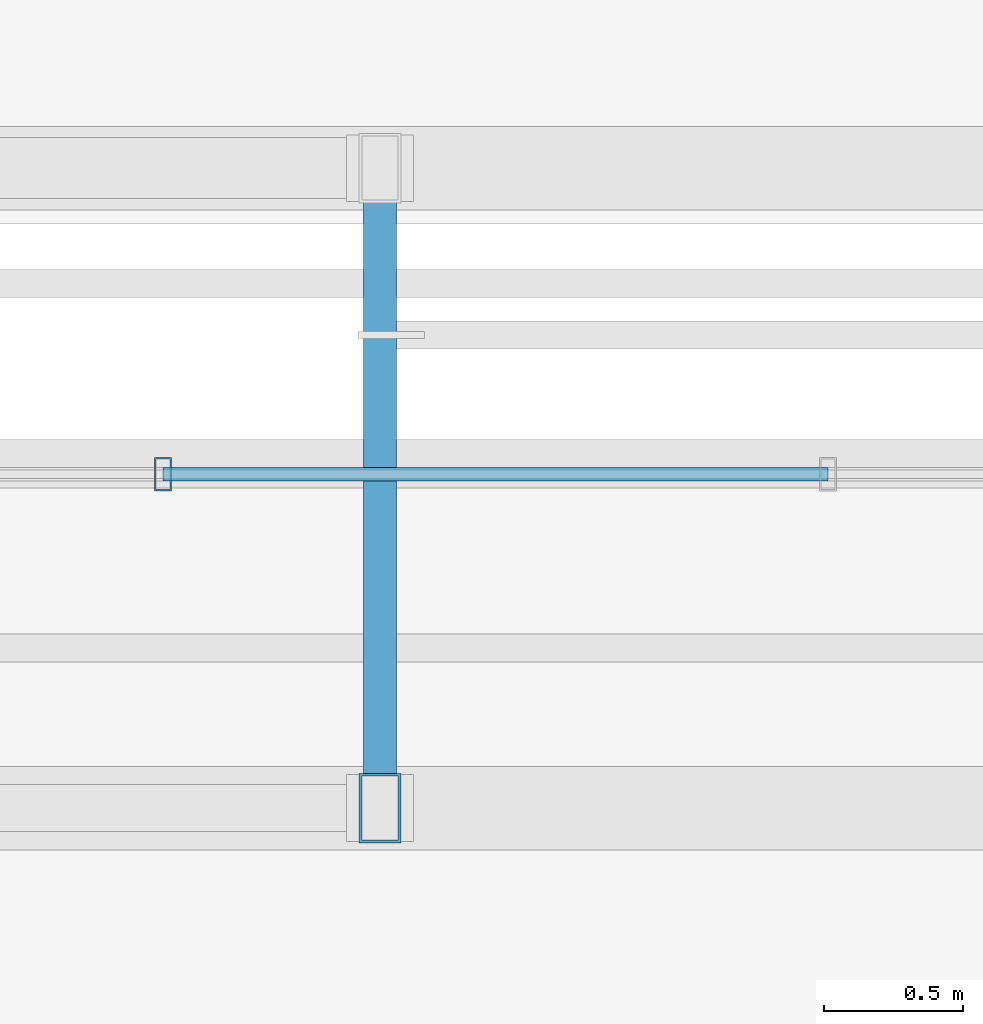
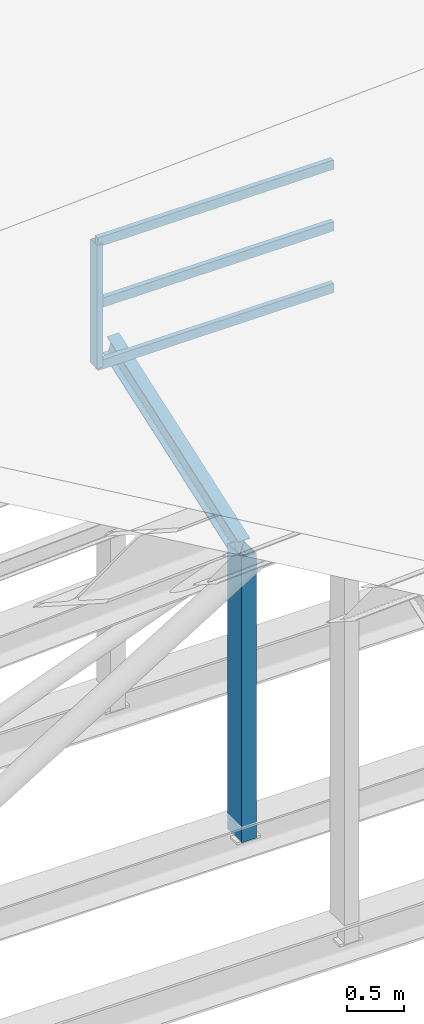
# One storey, part 78 of 141: 6 members, 1 element without a shape of its own.
"""IFC4 building model written with IfcOpenShell, lengths in metres."""

from ifc_helpers import new_model, si_unit, direction, frame, origin, origin_2d, place, context, subcontext, project, spatial, hollow_rectangle, i_section, extrude, material, material_profile, profile_set, type_object, element, aggregate, save


model = new_model("IFC4")

# Units and contexts
model_context = context("Model", 3, precision=1e-05, world=origin(), true_north=direction((0.0, 1.0)))
body_context = subcontext(model_context, "Body", "Model", "MODEL_VIEW")
ifc_project = project(units=[si_unit("LENGTHUNIT", "METRE"), si_unit("AREAUNIT", "SQUARE_METRE"), si_unit("VOLUMEUNIT", "CUBIC_METRE"), si_unit("PLANEANGLEUNIT", "RADIAN"), si_unit("MASSUNIT", "GRAM", prefix="KILO")], contexts=[model_context])

# Site, building, storey
site_placement = place(None, origin())
site = spatial("IfcSite", under=ifc_project, at=site_placement, CompositionType="ELEMENT")
building_placement = place(site_placement, origin())
building = spatial("IfcBuilding", under=site, at=building_placement, Name="Sundkrona Museum", CompositionType="ELEMENT")
storey_placement = place(building_placement, frame((0.0, 0.0, 34.0)))
storey = spatial("IfcBuildingStorey", under=building, at=storey_placement, Name="RF", CompositionType="ELEMENT", Elevation=34.0)

# Curtain wall, member
ifc_material_1 = material(Name="Unitised Aluminium-Steel and Ceramic-Clad Curtain Walling", Category="steel")
curtain_wall_type = type_object("IfcCurtainWallType", Name="CW-SW-240x13", PredefinedType="NOTDEFINED", material=ifc_material_1)
curtain_wall_placement = place(storey_placement, origin())
curtain_wall = element("IfcCurtainWall", 1, at=curtain_wall_placement, inside=storey, type_object=curtain_wall_type, Name="Sawtooth Bay 6 West North-Light Clerestory", PredefinedType="NOTDEFINED")
ifc_material_2 = material(Name="Aluminium EN AW-6060 T66", Category="aluminium")
ifc_material_profile_1 = material_profile(ifc_material_2, hollow_rectangle(XDim=0.06005859375, YDim=0.1201171875, WallThickness=0.0048828125, at=origin_2d()), Name="RHS 120x60x5.0")
ifc_profile_set_1 = profile_set([ifc_material_profile_1], Name="Aluminium EN AW-6060 T66")
member_type_1 = type_object("IfcMemberType", Name="ML-120", PredefinedType="MULLION", material=ifc_profile_set_1)
member_1_placement = place(storey_placement, frame((127.219970703125, 42.699951171875, 4.31298828125), z_axis=(0.0, 0.0, 1.0), x_axis=(1.0, 0.0, 0.0)))
member_1 = element("IfcMember", 2, at=member_1_placement, type_object=member_type_1, Name="CW-RF-SAW-06W Mullion 04", PredefinedType="MULLION", context=body_context, shape_type="SweptSolid", body=[
    extrude(hollow_rectangle(XDim=0.06005859375, YDim=0.1201171875, WallThickness=0.0048828125, at=origin_2d()), origin(), (0.0, 0.0, 1.0), 1.320068359375),
])

# Members
ifc_material_3 = material(Name="Steel S355J2", Category="steel")
ifc_material_profile_2 = material_profile(ifc_material_3, i_section(OverallWidth=0.1201171875, OverallDepth=0.239990234375, WebThickness=0.006103515625, FlangeThickness=0.009765625, FilletRadius=0.014892578125, at=origin_2d()), Name="IPE 240")
ifc_profile_set_2 = profile_set([ifc_material_profile_2], Name="Steel S355J2")
member_type_2 = type_object("IfcMemberType", Name="PR-IPE240", PredefinedType="PURLIN", material=ifc_profile_set_2)
member_2_placement = place(storey_placement, frame((128.0, 41.5, 2.801513671875), z_axis=(0.0, 0.943681756656, 0.330854563447), x_axis=(-1.0, 0.0, 0.0)))
element("IfcMember", 3, at=member_2_placement, inside=storey, type_object=member_type_2, Name="RFS-1 Sawtooth Bay 7 Transverse Rafter 2", PredefinedType="PURLIN", context=body_context, shape_type="SweptSolid", body=[
    extrude(i_section(OverallWidth=0.1201171875, OverallDepth=0.239990234375, WebThickness=0.006103515625, FlangeThickness=0.009765625, FilletRadius=0.014892578125, at=origin_2d()), origin(), (0.0, 0.0, 1.0), 2.437255859375),
])
ifc_material_profile_3 = material_profile(ifc_material_3, hollow_rectangle(XDim=0.14990234375, YDim=0.25, WallThickness=0.010009765625, at=origin_2d()), Name="RHS 250x150x10.0")
ifc_profile_set_3 = profile_set([ifc_material_profile_3], Name="Steel S355J2")
member_type_3 = type_object("IfcMemberType", Name="ST-RHS250", PredefinedType="STRUT", material=ifc_profile_set_3)
member_3_placement = place(storey_placement, frame((128.0, 41.5, -0.25), z_axis=(0.0, 0.0, 1.0), x_axis=(1.0, 0.0, 0.0)))
element("IfcMember", 4, at=member_3_placement, inside=storey, type_object=member_type_3, Name="RFS-1 Sawtooth Bay 7 Valley Post 2", PredefinedType="STRUT", context=body_context, shape_type="SweptSolid", body=[
    extrude(hollow_rectangle(XDim=0.14990234375, YDim=0.25, WallThickness=0.010009765625, at=origin_2d()), origin(), (0.0, 0.0, 1.0), 3.051513671875),
])

# Member
ifc_material_profile_4 = material_profile(ifc_material_2, hollow_rectangle(XDim=0.050048828125, YDim=0.10009765625, WallThickness=0.0048828125, at=origin_2d()), Name="RHS 100x50x5.0")
ifc_profile_set_4 = profile_set([ifc_material_profile_4], Name="Aluminium EN AW-6060 T66")
member_type_4 = type_object("IfcMemberType", Name="TR-100", PredefinedType="USERDEFINED", material=ifc_profile_set_4)
member_4_placement = place(storey_placement, frame((127.219970703125, 42.699951171875, 4.31298828125), z_axis=(1.0, 0.0, 0.0), x_axis=(0.0, 1.0, 0.0)))
member_4 = element("IfcMember", 5, at=member_4_placement, type_object=member_type_4, Name="CW-RF-SAW-06W Transom 10", ObjectType="TRANSOM", PredefinedType="USERDEFINED", context=body_context, shape_type="SweptSolid", body=[
    extrude(hollow_rectangle(XDim=0.050048828125, YDim=0.10009765625, WallThickness=0.0048828125, at=origin_2d()), origin(), (0.0, 0.0, 1.0), 2.39013671875),
])

member_5_placement = place(storey_placement, frame((127.219970703125, 42.699951171875, 4.972900390625), z_axis=(1.0, 0.0, 0.0), x_axis=(0.0, 1.0, 0.0)))
member_5 = element("IfcMember", 6, at=member_5_placement, type_object=member_type_4, Name="CW-RF-SAW-06W Transom 11", ObjectType="TRANSOM", PredefinedType="USERDEFINED", context=body_context, shape_type="SweptSolid", body=[
    extrude(hollow_rectangle(XDim=0.050048828125, YDim=0.10009765625, WallThickness=0.0048828125, at=origin_2d()), origin(), (0.0, 0.0, 1.0), 2.39013671875),
])

member_6_placement = place(storey_placement, frame((127.219970703125, 42.699951171875, 5.633056640625), z_axis=(1.0, 0.0, 0.0), x_axis=(0.0, 1.0, 0.0)))
member_6 = element("IfcMember", 7, at=member_6_placement, type_object=member_type_4, Name="CW-RF-SAW-06W Transom 12", ObjectType="TRANSOM", PredefinedType="USERDEFINED", context=body_context, shape_type="SweptSolid", body=[
    extrude(hollow_rectangle(XDim=0.050048828125, YDim=0.10009765625, WallThickness=0.0048828125, at=origin_2d()), origin(), (0.0, 0.0, 1.0), 2.39013671875),
])

aggregate(curtain_wall, [member_1, member_4, member_5, member_6])

save(model, "model.ifc")
